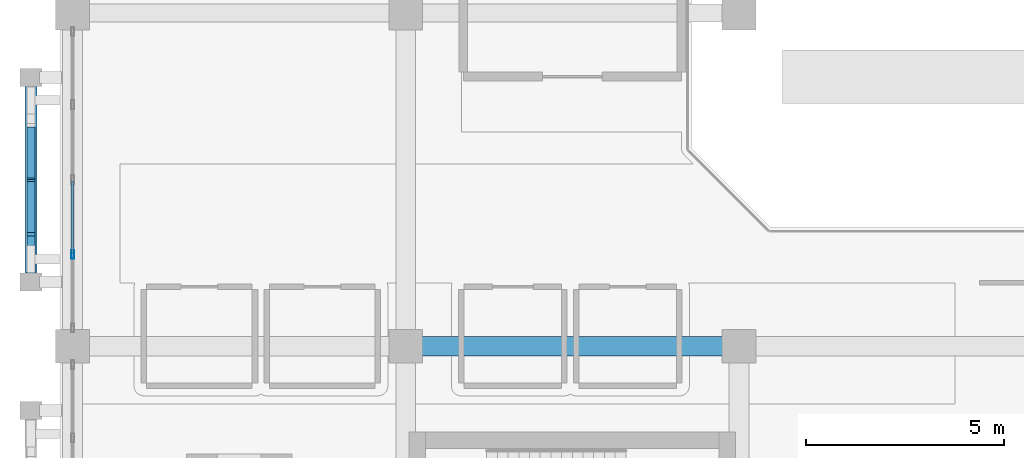
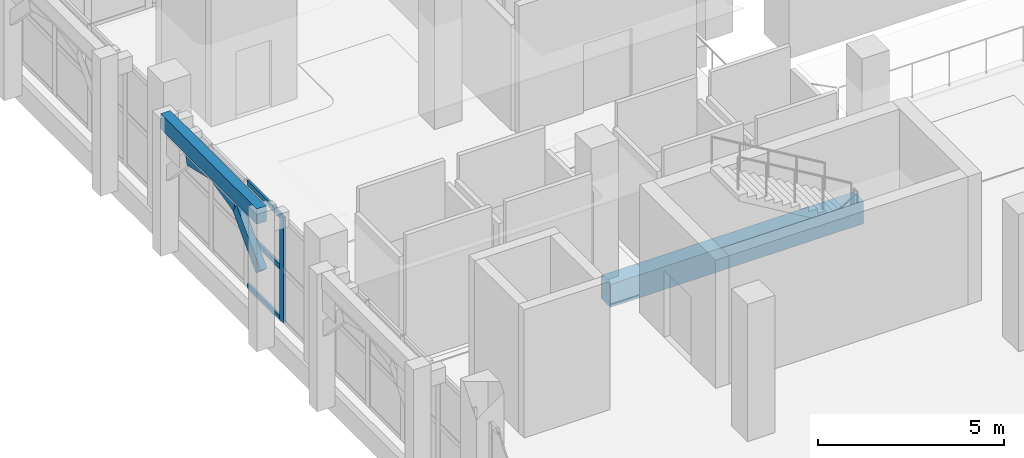
# One storey, part 45 of 129: 7 members, 2 beams, 1 element without a shape of its own.
"""IFC4 building model written with IfcOpenShell, lengths in metres."""

from ifc_helpers import new_model, si_unit, direction, frame, origin, origin_2d, place, context, subcontext, project, spatial, rectangle, hollow_rectangle, extrude, material, layer, layer_set, material_profile, profile_set, type_object, element, aggregate, save


model = new_model("IFC4")

# Units and contexts
model_context = context("Model", 3, precision=1e-05, world=origin(), true_north=direction((0.0, 1.0)))
body_context = subcontext(model_context, "Body", "Model", "MODEL_VIEW")
ifc_project = project(units=[si_unit("LENGTHUNIT", "METRE"), si_unit("AREAUNIT", "SQUARE_METRE"), si_unit("VOLUMEUNIT", "CUBIC_METRE"), si_unit("PLANEANGLEUNIT", "RADIAN"), si_unit("MASSUNIT", "GRAM", prefix="KILO")], contexts=[model_context])

# Site, building, storey
site_placement = place(None, origin())
site = spatial("IfcSite", under=ifc_project, at=site_placement, CompositionType="ELEMENT")
building_placement = place(site_placement, origin())
building = spatial("IfcBuilding", under=site, at=building_placement, Name="Xazarin Passage Department Store", CompositionType="ELEMENT")
storey_placement = place(building_placement, frame((0.0, 0.0, 9.89990234375)))
storey = spatial("IfcBuildingStorey", under=building, at=storey_placement, Name="L02", CompositionType="ELEMENT", Elevation=9.89990234375)

# Curtain wall, members
ifc_material_1 = material(Name="Bronze anodised aluminium", Category="aluminium")
ifc_layer = layer(ifc_material_1, 0.199951171875)
ifc_layer_set = layer_set([ifc_layer], Name="Bronze anodised aluminium")
curtain_wall_type = type_object("IfcCurtainWallType", Name="ARC-CW-VIT2", PredefinedType="NOTDEFINED", material=ifc_layer_set)
curtain_wall_placement = place(storey_placement, origin())
curtain_wall = element("IfcCurtainWall", 1, at=curtain_wall_placement, inside=storey, type_object=curtain_wall_type, Name="L02 V1 Curtain Wall 048", PredefinedType="NOTDEFINED")
ifc_material_profile_1 = material_profile(ifc_material_1, hollow_rectangle(XDim=0.074951171875, YDim=0.219970703125, WallThickness=0.0048828125, at=origin_2d()), Name="ALU 75x220")
ifc_profile_set_1 = profile_set([ifc_material_profile_1], Name="Bronze anodised aluminium")
member_type_1 = type_object("IfcMemberType", Name="ARC-CWM-75x220", PredefinedType="MULLION", material=ifc_profile_set_1)
member_1_placement = place(storey_placement, frame((0.0, 87.112548828125, 0.0), z_axis=(0.0, 0.0, 1.0), x_axis=(-1.0, 0.0, 0.0)))
member_1 = element("IfcMember", 2, at=member_1_placement, type_object=member_type_1, Name="CW2 mullion 2", PredefinedType="MULLION", context=body_context, shape_type="SweptSolid", body=[
    extrude(hollow_rectangle(XDim=0.074951171875, YDim=0.219970703125, WallThickness=0.0048828125, at=origin_2d()), origin(), (0.0, 0.0, 1.0), 3.4501953125),
])
ifc_material_profile_2 = material_profile(ifc_material_1, hollow_rectangle(XDim=0.074951171875, YDim=0.159912109375, WallThickness=0.00439453125, at=origin_2d()), Name="ALU 75x160")
ifc_profile_set_2 = profile_set([ifc_material_profile_2], Name="Bronze anodised aluminium")
member_type_2 = type_object("IfcMemberType", Name="ARC-CWT-75x160", PredefinedType="USERDEFINED", material=ifc_profile_set_2)
member_2_placement = place(storey_placement, frame((0.0, 87.14990234375, 0.03759765625), z_axis=(0.0, 1.0, 0.0), x_axis=(-1.0, 0.0, 0.0)))
member_2 = element("IfcMember", 3, at=member_2_placement, type_object=member_type_2, Name="CW2 transom 2.1", ObjectType="TRANSOM", PredefinedType="USERDEFINED", context=body_context, shape_type="SweptSolid", body=[
    extrude(hollow_rectangle(XDim=0.074951171875, YDim=0.159912109375, WallThickness=0.00439453125, at=origin_2d()), origin(), (0.0, 0.0, 1.0), 1.8125),
])
member_3_placement = place(storey_placement, frame((0.0, 87.14990234375, 1.72509765625), z_axis=(0.0, 1.0, 0.0), x_axis=(-1.0, 0.0, 0.0)))
member_3 = element("IfcMember", 4, at=member_3_placement, type_object=member_type_2, Name="CW2 transom 2.2", ObjectType="TRANSOM", PredefinedType="USERDEFINED", context=body_context, shape_type="SweptSolid", body=[
    extrude(hollow_rectangle(XDim=0.074951171875, YDim=0.159912109375, WallThickness=0.00439453125, at=origin_2d()), origin(), (0.0, 0.0, 1.0), 1.8125),
])
member_4_placement = place(storey_placement, frame((0.0, 87.14990234375, 3.41259765625), z_axis=(0.0, 1.0, 0.0), x_axis=(-1.0, 0.0, 0.0)))
member_4 = element("IfcMember", 5, at=member_4_placement, type_object=member_type_2, Name="CW2 transom 2.3", ObjectType="TRANSOM", PredefinedType="USERDEFINED", context=body_context, shape_type="SweptSolid", body=[
    extrude(hollow_rectangle(XDim=0.074951171875, YDim=0.159912109375, WallThickness=0.00439453125, at=origin_2d()), origin(), (0.0, 0.0, 1.0), 1.8125),
])
aggregate(curtain_wall, [member_1, member_2, member_3, member_4])

# Beams
ifc_material_2 = material(Name="Concrete C35/45", Category="concrete")
ifc_material_profile_3 = material_profile(ifc_material_2, rectangle(XDim=0.300048828125, YDim=0.5, at=origin_2d()), Name="RC 300x500")
ifc_profile_set_3 = profile_set([ifc_material_profile_3], Name="Concrete C35/45")
beam_type_1 = type_object("IfcBeamType", Name="STR-BM-LN300x500", PredefinedType="LINTEL", material=ifc_profile_set_3)
beam_1_placement = place(storey_placement, frame((-1.050048828125, 86.419921875, 4.25), z_axis=(0.0, 1.0, 0.0), x_axis=(-1.0, 0.0, 0.0)))
element("IfcBeam", 6, at=beam_1_placement, inside=storey, type_object=beam_type_1, Name="L02 V1 Colonnade Spandrel Beam 012", PredefinedType="LINTEL", context=body_context, shape_type="SweptSolid", body=[
    extrude(rectangle(XDim=0.300048828125, YDim=0.5, at=origin_2d()), origin(), (0.0, 0.0, 1.0), 5.16015625),
])
ifc_material_profile_4 = material_profile(ifc_material_2, rectangle(XDim=0.5, YDim=0.75, at=origin_2d()), Name="RC 500x750")
ifc_profile_set_4 = profile_set([ifc_material_profile_4], Name="Concrete C35/45")
beam_type_2 = type_object("IfcBeamType", Name="STR-BM-SP500x750", PredefinedType="SPANDREL", material=ifc_profile_set_4)
beam_2_placement = place(storey_placement, frame((8.679931640625, 84.800048828125, -0.6748046875), z_axis=(1.0, 0.0, 0.0), x_axis=(0.0, 1.0, 0.0)))
element("IfcBeam", 7, at=beam_2_placement, inside=storey, type_object=beam_type_2, Name="L02 Grid Beam M/2-3", PredefinedType="SPANDREL", context=body_context, shape_type="SweptSolid", body=[
    extrude(rectangle(XDim=0.5, YDim=0.75, at=origin_2d()), origin(), (0.0, 0.0, 1.0), 7.840087890625),
])

# Members
ifc_material_3 = material(Name="Concrete C40/50", Category="concrete")
ifc_material_profile_5 = material_profile(ifc_material_3, rectangle(XDim=0.199951171875, YDim=0.360107421875, at=origin_2d()), Name="RC 200x360")
ifc_profile_set_5 = profile_set([ifc_material_profile_5], Name="Concrete C40/50")
member_type_3 = type_object("IfcMemberType", Name="STR-MEM-ARC360", PredefinedType="CHORD", material=ifc_profile_set_5)
member_5_placement = place(storey_placement, frame((-1.050048828125, 86.419921875, 2.43017578125), z_axis=(0.0, 0.693460080602, 0.720495049679), x_axis=(-1.0, 0.0, 0.0)))
element("IfcMember", 8, at=member_5_placement, inside=storey, type_object=member_type_3, Name="L02 V1 Pierced Lattice Curved Arch 012.1", PredefinedType="CHORD", context=body_context, shape_type="SweptSolid", body=[
    extrude(rectangle(XDim=0.199951171875, YDim=0.360107421875, at=origin_2d()), origin(), (0.0, 0.0, 1.0), 1.8603515625),
])
for number, where, z_axis, x_axis, name in (
    (9, (-1.050048828125, 87.7099609375, 3.7705078125), (0.0, 0.972393983317, 0.233345111818), (-1.0, 0.0, 0.0), "L02 V1 Pierced Lattice Curved Arch 012.2"),
    (10, (-1.050048828125, 89.0, 4.080078125), (0.0, 0.972393983317, -0.233345111818), (-1.0, 0.0, 0.0), "L02 V1 Pierced Lattice Curved Arch 012.3"),
):
    element("IfcMember", number, at=place(storey_placement, frame(where, z_axis=z_axis, x_axis=x_axis)), inside=storey, type_object=member_type_3, Name=name, PredefinedType="CHORD", context=body_context, shape_type="SweptSolid", body=[
        extrude(rectangle(XDim=0.199951171875, YDim=0.360107421875, at=origin_2d()), origin(), (0.0, 0.0, 1.0), 1.32666015625),
    ])

save(model, "model.ifc")
